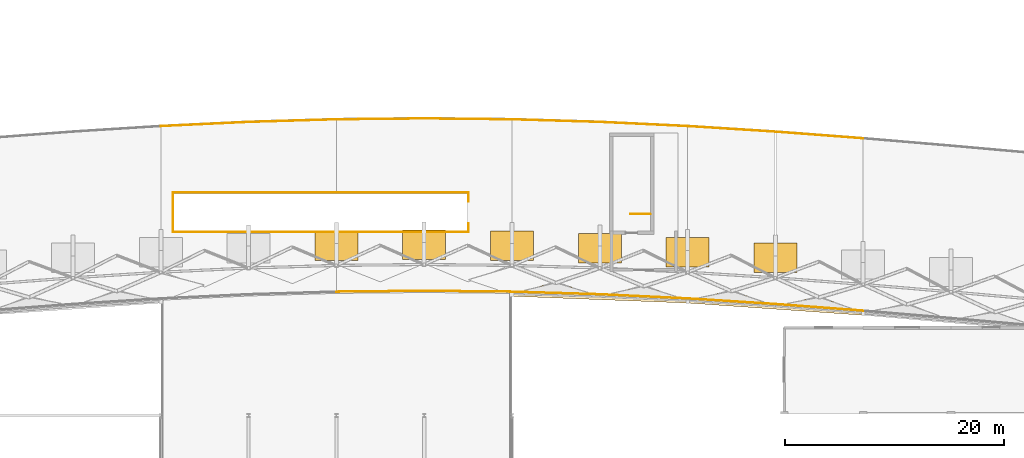
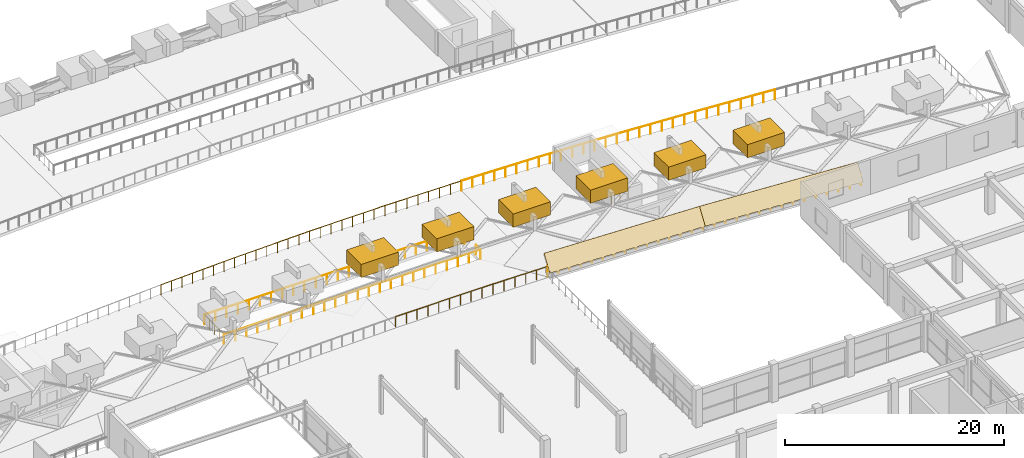
# One storey, part 62 of 67: 13 railings, 6 shading devices, 2 coverings.
"""IFC4 building model written with IfcOpenShell, lengths in metres."""

from ifc_helpers import new_model, si_unit, direction, frame, origin, origin_2d, place, context, subcontext, project, spatial, polyline, rectangle, circle, outline, extrude, material, layer, layer_set, type_object, element, save


model = new_model("IFC4")

# Units and contexts
model_context = context("Model", 3, precision=1e-05, world=origin(), true_north=direction((0.0, 1.0)))
body_context = subcontext(model_context, "Body", "Model", "MODEL_VIEW")
ifc_project = project(units=[si_unit("LENGTHUNIT", "METRE"), si_unit("AREAUNIT", "SQUARE_METRE"), si_unit("VOLUMEUNIT", "CUBIC_METRE"), si_unit("PLANEANGLEUNIT", "RADIAN"), si_unit("MASSUNIT", "GRAM", prefix="KILO")], contexts=[model_context])

# Site, building, storey
site_placement = place(None, origin())
site = spatial("IfcSite", under=ifc_project, at=site_placement, CompositionType="ELEMENT")
building_placement = place(site_placement, origin())
building = spatial("IfcBuilding", under=site, at=building_placement, Name="Kenh Van Central Station", CompositionType="ELEMENT")
storey_placement = place(building_placement, frame((0.0, 0.0, 10.800048828125)))
storey = spatial("IfcBuildingStorey", under=building, at=storey_placement, Name="L02", CompositionType="ELEMENT", Elevation=10.800048828125)

# Coverings
ifc_material_1 = material(Name="Standing-seam zinc-aluminium roofing", Category="aluminium")
ifc_layer = layer(ifc_material_1, 0.044921875, Name="Standing-seam zinc-aluminium roofing")
ifc_layer_set = layer_set([ifc_layer], Name="Standing-seam zinc-aluminium roofing")
covering_type = type_object("IfcCoveringType", Name="COV-ROOF-SEAM", PredefinedType="ROOFING", material=ifc_layer_set)
covering_1_placement = place(storey_placement, frame((96.0, 66.85986328125, 0.614990234375), z_axis=(-0.032088952667, -0.830889609625, 0.555511256172), x_axis=(0.999255081172, -0.038591226356, 0.0)))
element("IfcCovering", 1, at=covering_1_placement, inside=storey, type_object=covering_type, Name="Train shed springing curb roofing S5", PredefinedType="ROOFING", context=body_context, shape_type="SweptSolid", body=[
    extrude(outline(polyline([(0.0, 0.0), (16.0119275863292, 0.0), (15.971197637223813, 1.8984920791184239), (-0.04072994910538627, 1.8984920791184239), (0.0, 0.0)])), origin(), (0.0, 0.0, -1.0), 0.044921875),
])
covering_2_placement = place(storey_placement, frame((112.0, 66.241943359375, 0.614990234375), z_axis=(-0.057750881839, -0.829900623227, 0.554914219691), x_axis=(0.997587371326, -0.06942216187, -3.505039e-06)))
element("IfcCovering", 2, at=covering_2_placement, inside=storey, type_object=covering_type, Name="Train shed springing curb roofing S6", PredefinedType="ROOFING", context=body_context, shape_type="SweptSolid", body=[
    extrude(outline(polyline([(0.0, 0.0), (16.038701281129455, -1.1102230246251565e-16), (15.965409266601808, 1.8976498030291111), (-0.0732750657576595, 1.8975146528300602), (0.0, 0.0)])), origin(), (0.0, 0.0, -1.0), 0.044921875),
])

# Railings
ifc_material_2 = material(Name="Champagne anodised aluminium", Category="aluminium")
railing_type_1 = type_object("IfcRailingType", Name="RAIL-CORE-GRD110", PredefinedType="GUARDRAIL", material=ifc_material_2)
railing_1_placement = place(storey_placement, frame((108.60009765625, 74.35009765625, 0.0)))
element("IfcRailing", 3, at=railing_1_placement, inside=storey, type_object=railing_type_1, Name="L02 ST-06 top well guard 1", PredefinedType="GUARDRAIL", context=body_context, shape_type="SweptSolid", body=[
    extrude(circle(Radius=0.02392578125, at=origin_2d()), frame((0.0, 0.0, 1.076171875), z_axis=(-1.0, 0.0, 0.0), x_axis=(0.0, -1.0, 0.0)), (0.0, 0.0, 1.0), 1.800048828125),
    extrude(circle(Radius=0.02099609375, at=origin_2d()), origin(), (0.0, 0.0, 1.0), 1.052001953125),
    extrude(circle(Radius=0.02099609375, at=origin_2d()), frame((-0.89990234375, 0.0, 0.0)), (0.0, 0.0, 1.0), 1.052001953125),
    extrude(circle(Radius=0.02099609375, at=origin_2d()), frame((-1.800048828125, 0.0, 0.0)), (0.0, 0.0, 1.0), 1.052001953125),
])
railing_type_2 = type_object("IfcRailingType", Name="RAIL-PUB-BAL112", PredefinedType="BALUSTRADE", material=ifc_material_2)
railing_2_placement = place(storey_placement, frame((65.10009765625, 72.699951171875, 0.0)))
element("IfcRailing", 4, at=railing_2_placement, inside=storey, type_object=railing_type_2, Name="L02 atrium void balustrade 16", PredefinedType="BALUSTRADE", context=body_context, shape_type="SweptSolid", body=[
    extrude(circle(Radius=0.02392578125, at=origin_2d()), frame((0.0, 0.0, 1.09619140625), z_axis=(1.0, 0.0, 0.0), x_axis=(0.0, 1.0, 0.0)), (0.0, 0.0, 1.0), 26.949951171875),
    extrude(circle(Radius=0.02099609375, at=origin_2d()), origin(), (0.0, 0.0, 1.0), 1.072021484375),
    extrude(circle(Radius=0.02099609375, at=origin_2d()), frame((1.171630859375, 0.0, 0.0)), (0.0, 0.0, 1.0), 1.072021484375),
    extrude(circle(Radius=0.02099609375, at=origin_2d()), frame((2.343505859375, 0.0, 0.0)), (0.0, 0.0, 1.0), 1.072021484375),
    extrude(circle(Radius=0.02099609375, at=origin_2d()), frame((3.51513671875, 0.0, 0.0)), (0.0, 0.0, 1.0), 1.072021484375),
    extrude(circle(Radius=0.02099609375, at=origin_2d()), frame((4.68701171875, 0.0, 0.0)), (0.0, 0.0, 1.0), 1.072021484375),
    extrude(circle(Radius=0.02099609375, at=origin_2d()), frame((5.858642578125, 0.0, 0.0)), (0.0, 0.0, 1.0), 1.072021484375),
    extrude(circle(Radius=0.02099609375, at=origin_2d()), frame((7.030517578125, 0.0, 0.0)), (0.0, 0.0, 1.0), 1.072021484375),
    extrude(circle(Radius=0.02099609375, at=origin_2d()), frame((8.2021484375, 0.0, 0.0)), (0.0, 0.0, 1.0), 1.072021484375),
    extrude(circle(Radius=0.02099609375, at=origin_2d()), frame((9.373779296875, 0.0, 0.0)), (0.0, 0.0, 1.0), 1.072021484375),
    extrude(circle(Radius=0.02099609375, at=origin_2d()), frame((10.545654296875, 0.0, 0.0)), (0.0, 0.0, 1.0), 1.072021484375),
    extrude(circle(Radius=0.02099609375, at=origin_2d()), frame((11.71728515625, 0.0, 0.0)), (0.0, 0.0, 1.0), 1.072021484375),
    extrude(circle(Radius=0.02099609375, at=origin_2d()), frame((12.88916015625, 0.0, 0.0)), (0.0, 0.0, 1.0), 1.072021484375),
    extrude(circle(Radius=0.02099609375, at=origin_2d()), frame((14.060791015625, 0.0, 0.0)), (0.0, 0.0, 1.0), 1.072021484375),
    extrude(circle(Radius=0.02099609375, at=origin_2d()), frame((15.232666015625, 0.0, 0.0)), (0.0, 0.0, 1.0), 1.072021484375),
    extrude(circle(Radius=0.02099609375, at=origin_2d()), frame((16.404296875, 0.0, 0.0)), (0.0, 0.0, 1.0), 1.072021484375),
    extrude(circle(Radius=0.02099609375, at=origin_2d()), frame((17.576171875, 0.0, 0.0)), (0.0, 0.0, 1.0), 1.072021484375),
    extrude(circle(Radius=0.02099609375, at=origin_2d()), frame((18.747802734375, 0.0, 0.0)), (0.0, 0.0, 1.0), 1.072021484375),
    extrude(circle(Radius=0.02099609375, at=origin_2d()), frame((19.91943359375, 0.0, 0.0)), (0.0, 0.0, 1.0), 1.072021484375),
    extrude(circle(Radius=0.02099609375, at=origin_2d()), frame((21.09130859375, 0.0, 0.0)), (0.0, 0.0, 1.0), 1.072021484375),
    extrude(circle(Radius=0.02099609375, at=origin_2d()), frame((22.262939453125, 0.0, 0.0)), (0.0, 0.0, 1.0), 1.072021484375),
    extrude(circle(Radius=0.02099609375, at=origin_2d()), frame((23.434814453125, 0.0, 0.0)), (0.0, 0.0, 1.0), 1.072021484375),
    extrude(circle(Radius=0.02099609375, at=origin_2d()), frame((24.6064453125, 0.0, 0.0)), (0.0, 0.0, 1.0), 1.072021484375),
    extrude(circle(Radius=0.02099609375, at=origin_2d()), frame((25.7783203125, 0.0, 0.0)), (0.0, 0.0, 1.0), 1.072021484375),
    extrude(circle(Radius=0.02099609375, at=origin_2d()), frame((26.949951171875, 0.0, 0.0)), (0.0, 0.0, 1.0), 1.072021484375),
])
railing_3_placement = place(storey_placement, frame((65.10009765625, 76.300048828125, 0.0)))
element("IfcRailing", 5, at=railing_3_placement, inside=storey, type_object=railing_type_2, Name="L02 atrium void balustrade 17", PredefinedType="BALUSTRADE", context=body_context, shape_type="SweptSolid", body=[
    extrude(circle(Radius=0.02392578125, at=origin_2d()), frame((0.0, 0.0, 1.09619140625), z_axis=(1.0, 0.0, 0.0), x_axis=(0.0, 1.0, 0.0)), (0.0, 0.0, 1.0), 26.949951171875),
    extrude(circle(Radius=0.02099609375, at=origin_2d()), origin(), (0.0, 0.0, 1.0), 1.072021484375),
    extrude(circle(Radius=0.02099609375, at=origin_2d()), frame((1.171630859375, 0.0, 0.0)), (0.0, 0.0, 1.0), 1.072021484375),
    extrude(circle(Radius=0.02099609375, at=origin_2d()), frame((2.343505859375, 0.0, 0.0)), (0.0, 0.0, 1.0), 1.072021484375),
    extrude(circle(Radius=0.02099609375, at=origin_2d()), frame((3.51513671875, 0.0, 0.0)), (0.0, 0.0, 1.0), 1.072021484375),
    extrude(circle(Radius=0.02099609375, at=origin_2d()), frame((4.68701171875, 0.0, 0.0)), (0.0, 0.0, 1.0), 1.072021484375),
    extrude(circle(Radius=0.02099609375, at=origin_2d()), frame((5.858642578125, 0.0, 0.0)), (0.0, 0.0, 1.0), 1.072021484375),
    extrude(circle(Radius=0.02099609375, at=origin_2d()), frame((7.030517578125, 0.0, 0.0)), (0.0, 0.0, 1.0), 1.072021484375),
    extrude(circle(Radius=0.02099609375, at=origin_2d()), frame((8.2021484375, 0.0, 0.0)), (0.0, 0.0, 1.0), 1.072021484375),
    extrude(circle(Radius=0.02099609375, at=origin_2d()), frame((9.373779296875, 0.0, 0.0)), (0.0, 0.0, 1.0), 1.072021484375),
    extrude(circle(Radius=0.02099609375, at=origin_2d()), frame((10.545654296875, 0.0, 0.0)), (0.0, 0.0, 1.0), 1.072021484375),
    extrude(circle(Radius=0.02099609375, at=origin_2d()), frame((11.71728515625, 0.0, 0.0)), (0.0, 0.0, 1.0), 1.072021484375),
    extrude(circle(Radius=0.02099609375, at=origin_2d()), frame((12.88916015625, 0.0, 0.0)), (0.0, 0.0, 1.0), 1.072021484375),
    extrude(circle(Radius=0.02099609375, at=origin_2d()), frame((14.060791015625, 0.0, 0.0)), (0.0, 0.0, 1.0), 1.072021484375),
    extrude(circle(Radius=0.02099609375, at=origin_2d()), frame((15.232666015625, 0.0, 0.0)), (0.0, 0.0, 1.0), 1.072021484375),
    extrude(circle(Radius=0.02099609375, at=origin_2d()), frame((16.404296875, 0.0, 0.0)), (0.0, 0.0, 1.0), 1.072021484375),
    extrude(circle(Radius=0.02099609375, at=origin_2d()), frame((17.576171875, 0.0, 0.0)), (0.0, 0.0, 1.0), 1.072021484375),
    extrude(circle(Radius=0.02099609375, at=origin_2d()), frame((18.747802734375, 0.0, 0.0)), (0.0, 0.0, 1.0), 1.072021484375),
    extrude(circle(Radius=0.02099609375, at=origin_2d()), frame((19.91943359375, 0.0, 0.0)), (0.0, 0.0, 1.0), 1.072021484375),
    extrude(circle(Radius=0.02099609375, at=origin_2d()), frame((21.09130859375, 0.0, 0.0)), (0.0, 0.0, 1.0), 1.072021484375),
    extrude(circle(Radius=0.02099609375, at=origin_2d()), frame((22.262939453125, 0.0, 0.0)), (0.0, 0.0, 1.0), 1.072021484375),
    extrude(circle(Radius=0.02099609375, at=origin_2d()), frame((23.434814453125, 0.0, 0.0)), (0.0, 0.0, 1.0), 1.072021484375),
    extrude(circle(Radius=0.02099609375, at=origin_2d()), frame((24.6064453125, 0.0, 0.0)), (0.0, 0.0, 1.0), 1.072021484375),
    extrude(circle(Radius=0.02099609375, at=origin_2d()), frame((25.7783203125, 0.0, 0.0)), (0.0, 0.0, 1.0), 1.072021484375),
    extrude(circle(Radius=0.02099609375, at=origin_2d()), frame((26.949951171875, 0.0, 0.0)), (0.0, 0.0, 1.0), 1.072021484375),
])
railing_4_placement = place(storey_placement, frame((65.10009765625, 72.699951171875, 0.0)))
element("IfcRailing", 6, at=railing_4_placement, inside=storey, type_object=railing_type_2, Name="L02 atrium void balustrade 18", PredefinedType="BALUSTRADE", context=body_context, shape_type="SweptSolid", body=[
    extrude(circle(Radius=0.02392578125, at=origin_2d()), frame((0.0, 0.0, 1.09619140625), z_axis=(0.0, 1.0, 0.0), x_axis=(-1.0, 0.0, 0.0)), (0.0, 0.0, 1.0), 3.60009765625),
    extrude(circle(Radius=0.02099609375, at=origin_2d()), origin(), (0.0, 0.0, 1.0), 1.072021484375),
    extrude(circle(Radius=0.02099609375, at=origin_2d()), frame((0.0, 0.89990234375, 0.0)), (0.0, 0.0, 1.0), 1.072021484375),
    extrude(circle(Radius=0.02099609375, at=origin_2d()), frame((0.0, 1.800048828125, 0.0)), (0.0, 0.0, 1.0), 1.072021484375),
    extrude(circle(Radius=0.02099609375, at=origin_2d()), frame((0.0, 2.7001953125, 0.0)), (0.0, 0.0, 1.0), 1.072021484375),
    extrude(circle(Radius=0.02099609375, at=origin_2d()), frame((0.0, 3.60009765625, 0.0)), (0.0, 0.0, 1.0), 1.072021484375),
])
for number, where, name in (
    (7, (92.050048828125, 72.699951171875, 0.0), "L02 atrium void balustrade 19"),
    (8, (92.050048828125, 75.5, 0.0), "L02 atrium void balustrade 20"),
):
    element("IfcRailing", number, at=place(storey_placement, frame(where)), inside=storey, type_object=railing_type_2, Name=name, PredefinedType="BALUSTRADE", context=body_context, shape_type="SweptSolid", body=[
        extrude(circle(Radius=0.02392578125, at=origin_2d()), frame((0.0, 0.0, 1.09619140625), z_axis=(0.0, 1.0, 0.0), x_axis=(-1.0, 0.0, 0.0)), (0.0, 0.0, 1.0), 0.800048828125),
        extrude(circle(Radius=0.02099609375, at=origin_2d()), origin(), (0.0, 0.0, 1.0), 1.072021484375),
        extrude(circle(Radius=0.02099609375, at=origin_2d()), frame((0.0, 0.800048828125, 0.0)), (0.0, 0.0, 1.0), 1.072021484375),
    ])
railing_type_3 = type_object("IfcRailingType", Name="RAIL-TERR-GRD115", PredefinedType="GUARDRAIL", material=ifc_material_2)
railing_5_placement = place(storey_placement, frame((80.0, 67.269775390625, 0.0)))
element("IfcRailing", 9, at=railing_5_placement, inside=storey, type_object=railing_type_3, Name="L02 platform perimeter guardrail 04", PredefinedType="GUARDRAIL", context=body_context, shape_type="SweptSolid", body=[
    extrude(circle(Radius=0.02392578125, at=origin_2d()), frame((0.0, 0.0, 1.1259765625), z_axis=(0.999949600167, 0.010039777175, 0.0), x_axis=(-0.010039777175, 0.999949600167, 0.0)), (0.0, 0.0, 1.0), 8.00048828125),
    extrude(circle(Radius=0.02392578125, at=origin_2d()), frame((8.0, 0.080322265625, 1.1259765625), z_axis=(0.999949600167, -0.010039777175, 0.0), x_axis=(0.010039777175, 0.999949600167, 0.0)), (0.0, 0.0, 1.0), 8.00048828125),
    extrude(circle(Radius=0.02099609375, at=origin_2d()), origin(), (0.0, 0.0, 1.0), 1.101806640625),
    extrude(circle(Radius=0.02099609375, at=origin_2d()), frame((1.142822265625, 0.011474609375, 0.0)), (0.0, 0.0, 1.0), 1.101806640625),
    extrude(circle(Radius=0.02099609375, at=origin_2d()), frame((2.28564453125, 0.02294921875, 0.0)), (0.0, 0.0, 1.0), 1.101806640625),
    extrude(circle(Radius=0.02099609375, at=origin_2d()), frame((3.428466796875, 0.034423828125, 0.0)), (0.0, 0.0, 1.0), 1.101806640625),
    extrude(circle(Radius=0.02099609375, at=origin_2d()), frame((4.571533203125, 0.0458984375, 0.0)), (0.0, 0.0, 1.0), 1.101806640625),
    extrude(circle(Radius=0.02099609375, at=origin_2d()), frame((5.71435546875, 0.057373046875, 0.0)), (0.0, 0.0, 1.0), 1.101806640625),
    extrude(circle(Radius=0.02099609375, at=origin_2d()), frame((6.857177734375, 0.06884765625, 0.0)), (0.0, 0.0, 1.0), 1.101806640625),
    extrude(circle(Radius=0.02099609375, at=origin_2d()), frame((8.0, 0.080322265625, 0.0)), (0.0, 0.0, 1.0), 1.101806640625),
    extrude(circle(Radius=0.02099609375, at=origin_2d()), frame((9.142822265625, 0.06884765625, 0.0)), (0.0, 0.0, 1.0), 1.101806640625),
    extrude(circle(Radius=0.02099609375, at=origin_2d()), frame((10.28564453125, 0.057373046875, 0.0)), (0.0, 0.0, 1.0), 1.101806640625),
    extrude(circle(Radius=0.02099609375, at=origin_2d()), frame((11.428466796875, 0.0458984375, 0.0)), (0.0, 0.0, 1.0), 1.101806640625),
    extrude(circle(Radius=0.02099609375, at=origin_2d()), frame((12.571533203125, 0.034423828125, 0.0)), (0.0, 0.0, 1.0), 1.101806640625),
    extrude(circle(Radius=0.02099609375, at=origin_2d()), frame((13.71435546875, 0.02294921875, 0.0)), (0.0, 0.0, 1.0), 1.101806640625),
    extrude(circle(Radius=0.02099609375, at=origin_2d()), frame((14.857177734375, 0.011474609375, 0.0)), (0.0, 0.0, 1.0), 1.101806640625),
    extrude(circle(Radius=0.02099609375, at=origin_2d()), frame((16.0, 0.0, 0.0)), (0.0, 0.0, 1.0), 1.101806640625),
])
railing_6_placement = place(storey_placement, frame((96.0, 67.269775390625, 0.0)))
element("IfcRailing", 10, at=railing_6_placement, inside=storey, type_object=railing_type_3, Name="L02 platform perimeter guardrail 05", PredefinedType="GUARDRAIL", context=body_context, shape_type="SweptSolid", body=[
    extrude(circle(Radius=0.02392578125, at=origin_2d()), frame((0.0, 0.0, 1.1259765625), z_axis=(0.999563048769, -0.029558611885, 0.0), x_axis=(0.029558611885, 0.999563048769, 0.0)), (0.0, 0.0, 1.0), 8.00341796875),
    extrude(circle(Radius=0.02392578125, at=origin_2d()), frame((8.0, -0.236572265625, 1.1259765625), z_axis=(0.998865791667, -0.04761439107, 0.0), x_axis=(0.04761439107, 0.998865791667, 0.0)), (0.0, 0.0, 1.0), 8.009033203125),
    extrude(circle(Radius=0.02099609375, at=origin_2d()), origin(), (0.0, 0.0, 1.0), 1.101806640625),
    extrude(circle(Radius=0.02099609375, at=origin_2d()), frame((1.142822265625, -0.03369140625, 0.0)), (0.0, 0.0, 1.0), 1.101806640625),
    extrude(circle(Radius=0.02099609375, at=origin_2d()), frame((2.28564453125, -0.067626953125, 0.0)), (0.0, 0.0, 1.0), 1.101806640625),
    extrude(circle(Radius=0.02099609375, at=origin_2d()), frame((3.428466796875, -0.101318359375, 0.0)), (0.0, 0.0, 1.0), 1.101806640625),
    extrude(circle(Radius=0.02099609375, at=origin_2d()), frame((4.571533203125, -0.13525390625, 0.0)), (0.0, 0.0, 1.0), 1.101806640625),
    extrude(circle(Radius=0.02099609375, at=origin_2d()), frame((5.71435546875, -0.1689453125, 0.0)), (0.0, 0.0, 1.0), 1.101806640625),
    extrude(circle(Radius=0.02099609375, at=origin_2d()), frame((6.857177734375, -0.202880859375, 0.0)), (0.0, 0.0, 1.0), 1.101806640625),
    extrude(circle(Radius=0.02099609375, at=origin_2d()), frame((8.0, -0.236572265625, 0.0)), (0.0, 0.0, 1.0), 1.101806640625),
    extrude(circle(Radius=0.02099609375, at=origin_2d()), frame((9.142822265625, -0.291015625, 0.0)), (0.0, 0.0, 1.0), 1.101806640625),
    extrude(circle(Radius=0.02099609375, at=origin_2d()), frame((10.28564453125, -0.345458984375, 0.0)), (0.0, 0.0, 1.0), 1.101806640625),
    extrude(circle(Radius=0.02099609375, at=origin_2d()), frame((11.428466796875, -0.39990234375, 0.0)), (0.0, 0.0, 1.0), 1.101806640625),
    extrude(circle(Radius=0.02099609375, at=origin_2d()), frame((12.571533203125, -0.45458984375, 0.0)), (0.0, 0.0, 1.0), 1.101806640625),
    extrude(circle(Radius=0.02099609375, at=origin_2d()), frame((13.71435546875, -0.509033203125, 0.0)), (0.0, 0.0, 1.0), 1.101806640625),
    extrude(circle(Radius=0.02099609375, at=origin_2d()), frame((14.857177734375, -0.5634765625, 0.0)), (0.0, 0.0, 1.0), 1.101806640625),
    extrude(circle(Radius=0.02099609375, at=origin_2d()), frame((16.0, -0.617919921875, 0.0)), (0.0, 0.0, 1.0), 1.101806640625),
])
railing_7_placement = place(storey_placement, frame((112.0, 66.65185546875, 0.0)))
element("IfcRailing", 11, at=railing_7_placement, inside=storey, type_object=railing_type_3, Name="L02 platform perimeter guardrail 06", PredefinedType="GUARDRAIL", context=body_context, shape_type="SweptSolid", body=[
    extrude(circle(Radius=0.02392578125, at=origin_2d()), frame((0.0, 0.0, 1.1259765625), z_axis=(0.998001046855, -0.063197392951, 0.0), x_axis=(0.063197392951, 0.998001046855, 0.0)), (0.0, 0.0, 1.0), 8.01611328125),
    extrude(circle(Radius=0.02392578125, at=origin_2d()), frame((8.0, -0.506591796875, 1.1259765625), z_axis=(0.997134485958, -0.075649302127, 0.0), x_axis=(0.075649302127, 0.997134485958, 0.0)), (0.0, 0.0, 1.0), 8.02294921875),
    extrude(circle(Radius=0.02099609375, at=origin_2d()), origin(), (0.0, 0.0, 1.0), 1.101806640625),
    extrude(circle(Radius=0.02099609375, at=origin_2d()), frame((1.142822265625, -0.072265625, 0.0)), (0.0, 0.0, 1.0), 1.101806640625),
    extrude(circle(Radius=0.02099609375, at=origin_2d()), frame((2.28564453125, -0.144775390625, 0.0)), (0.0, 0.0, 1.0), 1.101806640625),
    extrude(circle(Radius=0.02099609375, at=origin_2d()), frame((3.428466796875, -0.217041015625, 0.0)), (0.0, 0.0, 1.0), 1.101806640625),
    extrude(circle(Radius=0.02099609375, at=origin_2d()), frame((4.571533203125, -0.28955078125, 0.0)), (0.0, 0.0, 1.0), 1.101806640625),
    extrude(circle(Radius=0.02099609375, at=origin_2d()), frame((5.71435546875, -0.36181640625, 0.0)), (0.0, 0.0, 1.0), 1.101806640625),
    extrude(circle(Radius=0.02099609375, at=origin_2d()), frame((6.857177734375, -0.434326171875, 0.0)), (0.0, 0.0, 1.0), 1.101806640625),
    extrude(circle(Radius=0.02099609375, at=origin_2d()), frame((8.0, -0.506591796875, 0.0)), (0.0, 0.0, 1.0), 1.101806640625),
    extrude(circle(Radius=0.02099609375, at=origin_2d()), frame((9.142822265625, -0.59326171875, 0.0)), (0.0, 0.0, 1.0), 1.101806640625),
    extrude(circle(Radius=0.02099609375, at=origin_2d()), frame((10.28564453125, -0.679931640625, 0.0)), (0.0, 0.0, 1.0), 1.101806640625),
    extrude(circle(Radius=0.02099609375, at=origin_2d()), frame((11.428466796875, -0.7666015625, 0.0)), (0.0, 0.0, 1.0), 1.101806640625),
    extrude(circle(Radius=0.02099609375, at=origin_2d()), frame((12.571533203125, -0.853515625, 0.0)), (0.0, 0.0, 1.0), 1.101806640625),
    extrude(circle(Radius=0.02099609375, at=origin_2d()), frame((13.71435546875, -0.940185546875, 0.0)), (0.0, 0.0, 1.0), 1.101806640625),
    extrude(circle(Radius=0.02099609375, at=origin_2d()), frame((14.857177734375, -1.02685546875, 0.0)), (0.0, 0.0, 1.0), 1.101806640625),
    extrude(circle(Radius=0.02099609375, at=origin_2d()), frame((16.0, -1.113525390625, 0.0)), (0.0, 0.0, 1.0), 1.101806640625),
])
railing_8_placement = place(storey_placement, frame((64.0, 82.351806640625, 0.0)))
element("IfcRailing", 12, at=railing_8_placement, inside=storey, type_object=railing_type_3, Name="L02 platform perimeter guardrail 10", PredefinedType="GUARDRAIL", context=body_context, shape_type="SweptSolid", body=[
    extrude(circle(Radius=0.02392578125, at=origin_2d()), frame((0.0, 0.0, 1.1259765625), z_axis=(0.998865791667, 0.04761439107, 0.0), x_axis=(-0.04761439107, 0.998865791667, 0.0)), (0.0, 0.0, 1.0), 8.009033203125),
    extrude(circle(Radius=0.02392578125, at=origin_2d()), frame((8.0, 0.38134765625, 1.1259765625), z_axis=(0.999563048769, 0.029558611885, 0.0), x_axis=(-0.029558611885, 0.999563048769, 0.0)), (0.0, 0.0, 1.0), 8.00341796875),
    extrude(circle(Radius=0.02099609375, at=origin_2d()), origin(), (0.0, 0.0, 1.0), 1.101806640625),
    extrude(circle(Radius=0.02099609375, at=origin_2d()), frame((1.142822265625, 0.054443359375, 0.0)), (0.0, 0.0, 1.0), 1.101806640625),
    extrude(circle(Radius=0.02099609375, at=origin_2d()), frame((2.28564453125, 0.10888671875, 0.0)), (0.0, 0.0, 1.0), 1.101806640625),
    extrude(circle(Radius=0.02099609375, at=origin_2d()), frame((3.428466796875, 0.163330078125, 0.0)), (0.0, 0.0, 1.0), 1.101806640625),
    extrude(circle(Radius=0.02099609375, at=origin_2d()), frame((4.571533203125, 0.218017578125, 0.0)), (0.0, 0.0, 1.0), 1.101806640625),
    extrude(circle(Radius=0.02099609375, at=origin_2d()), frame((5.71435546875, 0.2724609375, 0.0)), (0.0, 0.0, 1.0), 1.101806640625),
    extrude(circle(Radius=0.02099609375, at=origin_2d()), frame((6.857177734375, 0.326904296875, 0.0)), (0.0, 0.0, 1.0), 1.101806640625),
    extrude(circle(Radius=0.02099609375, at=origin_2d()), frame((8.0, 0.38134765625, 0.0)), (0.0, 0.0, 1.0), 1.101806640625),
    extrude(circle(Radius=0.02099609375, at=origin_2d()), frame((9.142822265625, 0.4150390625, 0.0)), (0.0, 0.0, 1.0), 1.101806640625),
    extrude(circle(Radius=0.02099609375, at=origin_2d()), frame((10.28564453125, 0.448974609375, 0.0)), (0.0, 0.0, 1.0), 1.101806640625),
    extrude(circle(Radius=0.02099609375, at=origin_2d()), frame((11.428466796875, 0.482666015625, 0.0)), (0.0, 0.0, 1.0), 1.101806640625),
    extrude(circle(Radius=0.02099609375, at=origin_2d()), frame((12.571533203125, 0.5166015625, 0.0)), (0.0, 0.0, 1.0), 1.101806640625),
    extrude(circle(Radius=0.02099609375, at=origin_2d()), frame((13.71435546875, 0.55029296875, 0.0)), (0.0, 0.0, 1.0), 1.101806640625),
    extrude(circle(Radius=0.02099609375, at=origin_2d()), frame((14.857177734375, 0.584228515625, 0.0)), (0.0, 0.0, 1.0), 1.101806640625),
    extrude(circle(Radius=0.02099609375, at=origin_2d()), frame((16.0, 0.617919921875, 0.0)), (0.0, 0.0, 1.0), 1.101806640625),
])
railing_9_placement = place(storey_placement, frame((80.0, 82.9697265625, 0.0)))
element("IfcRailing", 13, at=railing_9_placement, inside=storey, type_object=railing_type_3, Name="L02 platform perimeter guardrail 11", PredefinedType="GUARDRAIL", context=body_context, shape_type="SweptSolid", body=[
    extrude(circle(Radius=0.02392578125, at=origin_2d()), frame((0.0, 0.0, 1.1259765625), z_axis=(0.999949600167, 0.010039777175, 0.0), x_axis=(-0.010039777175, 0.999949600167, 0.0)), (0.0, 0.0, 1.0), 8.00048828125),
    extrude(circle(Radius=0.02392578125, at=origin_2d()), frame((8.0, 0.080322265625, 1.1259765625), z_axis=(0.999949600167, -0.010039777175, 0.0), x_axis=(0.010039777175, 0.999949600167, 0.0)), (0.0, 0.0, 1.0), 8.00048828125),
    extrude(circle(Radius=0.02099609375, at=origin_2d()), origin(), (0.0, 0.0, 1.0), 1.101806640625),
    extrude(circle(Radius=0.02099609375, at=origin_2d()), frame((1.142822265625, 0.011474609375, 0.0)), (0.0, 0.0, 1.0), 1.101806640625),
    extrude(circle(Radius=0.02099609375, at=origin_2d()), frame((2.28564453125, 0.02294921875, 0.0)), (0.0, 0.0, 1.0), 1.101806640625),
    extrude(circle(Radius=0.02099609375, at=origin_2d()), frame((3.428466796875, 0.034423828125, 0.0)), (0.0, 0.0, 1.0), 1.101806640625),
    extrude(circle(Radius=0.02099609375, at=origin_2d()), frame((4.571533203125, 0.0458984375, 0.0)), (0.0, 0.0, 1.0), 1.101806640625),
    extrude(circle(Radius=0.02099609375, at=origin_2d()), frame((5.71435546875, 0.057373046875, 0.0)), (0.0, 0.0, 1.0), 1.101806640625),
    extrude(circle(Radius=0.02099609375, at=origin_2d()), frame((6.857177734375, 0.06884765625, 0.0)), (0.0, 0.0, 1.0), 1.101806640625),
    extrude(circle(Radius=0.02099609375, at=origin_2d()), frame((8.0, 0.080322265625, 0.0)), (0.0, 0.0, 1.0), 1.101806640625),
    extrude(circle(Radius=0.02099609375, at=origin_2d()), frame((9.142822265625, 0.06884765625, 0.0)), (0.0, 0.0, 1.0), 1.101806640625),
    extrude(circle(Radius=0.02099609375, at=origin_2d()), frame((10.28564453125, 0.057373046875, 0.0)), (0.0, 0.0, 1.0), 1.101806640625),
    extrude(circle(Radius=0.02099609375, at=origin_2d()), frame((11.428466796875, 0.0458984375, 0.0)), (0.0, 0.0, 1.0), 1.101806640625),
    extrude(circle(Radius=0.02099609375, at=origin_2d()), frame((12.571533203125, 0.034423828125, 0.0)), (0.0, 0.0, 1.0), 1.101806640625),
    extrude(circle(Radius=0.02099609375, at=origin_2d()), frame((13.71435546875, 0.02294921875, 0.0)), (0.0, 0.0, 1.0), 1.101806640625),
    extrude(circle(Radius=0.02099609375, at=origin_2d()), frame((14.857177734375, 0.011474609375, 0.0)), (0.0, 0.0, 1.0), 1.101806640625),
    extrude(circle(Radius=0.02099609375, at=origin_2d()), frame((16.0, 0.0, 0.0)), (0.0, 0.0, 1.0), 1.101806640625),
])
railing_10_placement = place(storey_placement, frame((96.0, 82.9697265625, 0.0)))
element("IfcRailing", 14, at=railing_10_placement, inside=storey, type_object=railing_type_3, Name="L02 platform perimeter guardrail 12", PredefinedType="GUARDRAIL", context=body_context, shape_type="SweptSolid", body=[
    extrude(circle(Radius=0.02392578125, at=origin_2d()), frame((0.0, 0.0, 1.1259765625), z_axis=(0.999563048769, -0.029558611885, 0.0), x_axis=(0.029558611885, 0.999563048769, 0.0)), (0.0, 0.0, 1.0), 8.00341796875),
    extrude(circle(Radius=0.02392578125, at=origin_2d()), frame((8.0, -0.236572265625, 1.1259765625), z_axis=(0.998865791667, -0.04761439107, 0.0), x_axis=(0.04761439107, 0.998865791667, 0.0)), (0.0, 0.0, 1.0), 8.009033203125),
    extrude(circle(Radius=0.02099609375, at=origin_2d()), origin(), (0.0, 0.0, 1.0), 1.101806640625),
    extrude(circle(Radius=0.02099609375, at=origin_2d()), frame((1.142822265625, -0.03369140625, 0.0)), (0.0, 0.0, 1.0), 1.101806640625),
    extrude(circle(Radius=0.02099609375, at=origin_2d()), frame((2.28564453125, -0.067626953125, 0.0)), (0.0, 0.0, 1.0), 1.101806640625),
    extrude(circle(Radius=0.02099609375, at=origin_2d()), frame((3.428466796875, -0.101318359375, 0.0)), (0.0, 0.0, 1.0), 1.101806640625),
    extrude(circle(Radius=0.02099609375, at=origin_2d()), frame((4.571533203125, -0.13525390625, 0.0)), (0.0, 0.0, 1.0), 1.101806640625),
    extrude(circle(Radius=0.02099609375, at=origin_2d()), frame((5.71435546875, -0.1689453125, 0.0)), (0.0, 0.0, 1.0), 1.101806640625),
    extrude(circle(Radius=0.02099609375, at=origin_2d()), frame((6.857177734375, -0.202880859375, 0.0)), (0.0, 0.0, 1.0), 1.101806640625),
    extrude(circle(Radius=0.02099609375, at=origin_2d()), frame((8.0, -0.236572265625, 0.0)), (0.0, 0.0, 1.0), 1.101806640625),
    extrude(circle(Radius=0.02099609375, at=origin_2d()), frame((9.142822265625, -0.291015625, 0.0)), (0.0, 0.0, 1.0), 1.101806640625),
    extrude(circle(Radius=0.02099609375, at=origin_2d()), frame((10.28564453125, -0.345458984375, 0.0)), (0.0, 0.0, 1.0), 1.101806640625),
    extrude(circle(Radius=0.02099609375, at=origin_2d()), frame((11.428466796875, -0.39990234375, 0.0)), (0.0, 0.0, 1.0), 1.101806640625),
    extrude(circle(Radius=0.02099609375, at=origin_2d()), frame((12.571533203125, -0.45458984375, 0.0)), (0.0, 0.0, 1.0), 1.101806640625),
    extrude(circle(Radius=0.02099609375, at=origin_2d()), frame((13.71435546875, -0.509033203125, 0.0)), (0.0, 0.0, 1.0), 1.101806640625),
    extrude(circle(Radius=0.02099609375, at=origin_2d()), frame((14.857177734375, -0.5634765625, 0.0)), (0.0, 0.0, 1.0), 1.101806640625),
    extrude(circle(Radius=0.02099609375, at=origin_2d()), frame((16.0, -0.617919921875, 0.0)), (0.0, 0.0, 1.0), 1.101806640625),
])
railing_11_placement = place(storey_placement, frame((112.0, 82.351806640625, 0.0)))
element("IfcRailing", 15, at=railing_11_placement, inside=storey, type_object=railing_type_3, Name="L02 platform perimeter guardrail 13", PredefinedType="GUARDRAIL", context=body_context, shape_type="SweptSolid", body=[
    extrude(circle(Radius=0.02392578125, at=origin_2d()), frame((0.0, 0.0, 1.1259765625), z_axis=(0.998001046855, -0.063197392951, 0.0), x_axis=(0.063197392951, 0.998001046855, 0.0)), (0.0, 0.0, 1.0), 8.01611328125),
    extrude(circle(Radius=0.02392578125, at=origin_2d()), frame((8.0, -0.506591796875, 1.1259765625), z_axis=(0.997134485958, -0.075649302127, 0.0), x_axis=(0.075649302127, 0.997134485958, 0.0)), (0.0, 0.0, 1.0), 8.02294921875),
    extrude(circle(Radius=0.02099609375, at=origin_2d()), origin(), (0.0, 0.0, 1.0), 1.101806640625),
    extrude(circle(Radius=0.02099609375, at=origin_2d()), frame((1.142822265625, -0.072265625, 0.0)), (0.0, 0.0, 1.0), 1.101806640625),
    extrude(circle(Radius=0.02099609375, at=origin_2d()), frame((2.28564453125, -0.144775390625, 0.0)), (0.0, 0.0, 1.0), 1.101806640625),
    extrude(circle(Radius=0.02099609375, at=origin_2d()), frame((3.428466796875, -0.217041015625, 0.0)), (0.0, 0.0, 1.0), 1.101806640625),
    extrude(circle(Radius=0.02099609375, at=origin_2d()), frame((4.571533203125, -0.28955078125, 0.0)), (0.0, 0.0, 1.0), 1.101806640625),
    extrude(circle(Radius=0.02099609375, at=origin_2d()), frame((5.71435546875, -0.36181640625, 0.0)), (0.0, 0.0, 1.0), 1.101806640625),
    extrude(circle(Radius=0.02099609375, at=origin_2d()), frame((6.857177734375, -0.434326171875, 0.0)), (0.0, 0.0, 1.0), 1.101806640625),
    extrude(circle(Radius=0.02099609375, at=origin_2d()), frame((8.0, -0.506591796875, 0.0)), (0.0, 0.0, 1.0), 1.101806640625),
    extrude(circle(Radius=0.02099609375, at=origin_2d()), frame((9.142822265625, -0.59326171875, 0.0)), (0.0, 0.0, 1.0), 1.101806640625),
    extrude(circle(Radius=0.02099609375, at=origin_2d()), frame((10.28564453125, -0.679931640625, 0.0)), (0.0, 0.0, 1.0), 1.101806640625),
    extrude(circle(Radius=0.02099609375, at=origin_2d()), frame((11.428466796875, -0.7666015625, 0.0)), (0.0, 0.0, 1.0), 1.101806640625),
    extrude(circle(Radius=0.02099609375, at=origin_2d()), frame((12.571533203125, -0.853515625, 0.0)), (0.0, 0.0, 1.0), 1.101806640625),
    extrude(circle(Radius=0.02099609375, at=origin_2d()), frame((13.71435546875, -0.940185546875, 0.0)), (0.0, 0.0, 1.0), 1.101806640625),
    extrude(circle(Radius=0.02099609375, at=origin_2d()), frame((14.857177734375, -1.02685546875, 0.0)), (0.0, 0.0, 1.0), 1.101806640625),
    extrude(circle(Radius=0.02099609375, at=origin_2d()), frame((16.0, -1.113525390625, 0.0)), (0.0, 0.0, 1.0), 1.101806640625),
])

# Shading devices
shading_device_type = type_object("IfcShadingDeviceType", Name="SHD-LOUVRE-JAL", PredefinedType="JALOUSIE", material=ifc_material_2)
for number, where, z_axis, x_axis, name in (
    (16, (80.0, 71.4775390625, 4.421875), (0.0, 0.0, 1.0), (1.0, 0.0, 0.0), "Vault monsoon ventilation louvre 23"),
    (17, (88.0, 71.557373046875, 4.421875), (0.0, 0.0, 1.0), (1.0, 0.0, 0.0), "Vault monsoon ventilation louvre 26"),
    (18, (96.0, 71.4775390625, 4.421875), (0.0, 0.0, 1.0), (1.0, 0.0, 0.0), "Vault monsoon ventilation louvre 31"),
    (19, (104.0, 71.241455078125, 4.421875), (0.0, 0.0, 1.0), (1.0, 0.0, 0.0), "Vault monsoon ventilation louvre 34"),
    (20, (112.0, 70.861572265625, 4.421875), (0.0, 0.0, 1.0), (1.0, 0.0, 0.0), "Vault monsoon ventilation louvre 39"),
    (21, (120.0, 70.3564453125, 4.421875), (0.0, 0.0, 1.0), (1.0, 0.0, 0.0), "Vault monsoon ventilation louvre 42"),
):
    element("IfcShadingDevice", number, at=place(storey_placement, frame(where, z_axis=z_axis, x_axis=x_axis)), inside=storey, type_object=shading_device_type, Name=name, PredefinedType="JALOUSIE", context=body_context, shape_type="SweptSolid", body=[
        extrude(rectangle(XDim=3.919921875, YDim=2.67626953125, at=origin_2d()), origin(), (0.0, 0.0, 1.0), 1.466796875),
    ])

save(model, "model.ifc")
